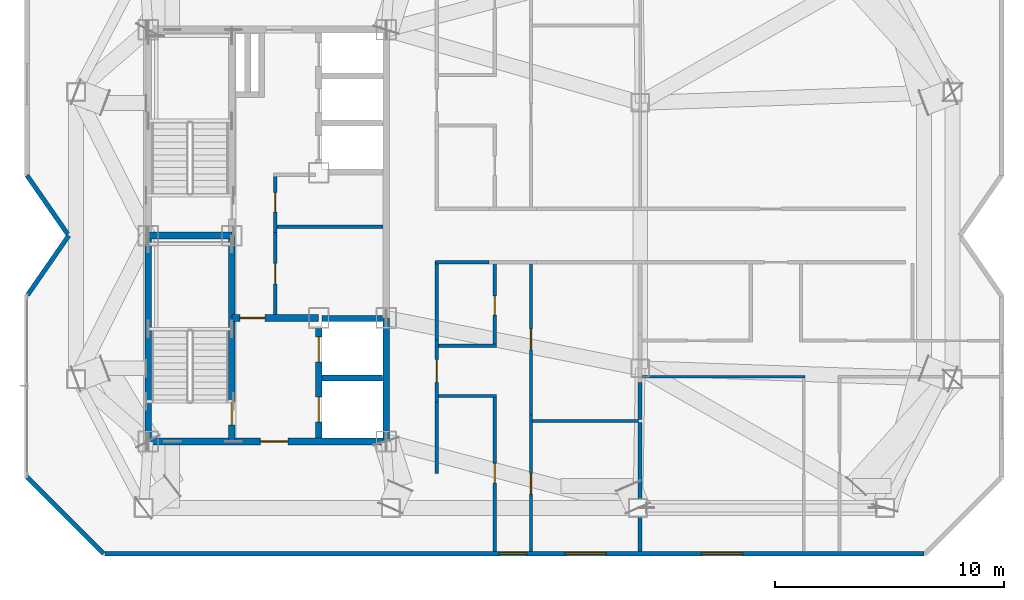
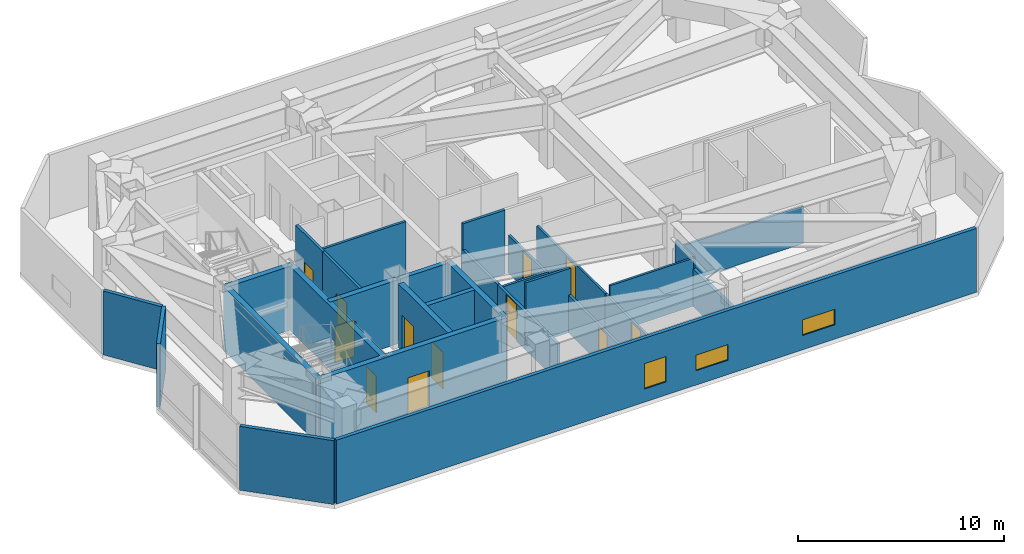
# One storey, part 6 of 9: 30 walls, 12 doors, 3 windows, 15 openings.
"""IFC4 building model written with IfcOpenShell, lengths in metres."""

from ifc_helpers import new_model, si_unit, direction, frame, frame_2d, origin, place, context, subcontext, project, spatial, rectangle, extrude, material, layer, layer_set, type_object, element, fill, save


model = new_model("IFC4")

# Units and contexts
model_context = context("Model", 3, precision=1e-05, world=origin(), true_north=direction((0.0, 1.0)))
body_context = subcontext(model_context, "Body", "Model", "MODEL_VIEW")
ifc_project = project(units=[si_unit("LENGTHUNIT", "METRE"), si_unit("AREAUNIT", "SQUARE_METRE"), si_unit("VOLUMEUNIT", "CUBIC_METRE"), si_unit("PLANEANGLEUNIT", "RADIAN"), si_unit("MASSUNIT", "GRAM", prefix="KILO")], contexts=[model_context])

# Site, building, storey
site_placement = place(None, origin())
site = spatial("IfcSite", under=ifc_project, at=site_placement, CompositionType="ELEMENT")
building_placement = place(site_placement, origin())
building = spatial("IfcBuilding", under=site, at=building_placement, Name="Khamvora Tower", CompositionType="ELEMENT")
storey_placement = place(building_placement, frame((0.0, 0.0, 282.050048828125)))
storey = spatial("IfcBuildingStorey", under=building, at=storey_placement, Name="L72", CompositionType="ELEMENT", Elevation=282.050048828125)

# Wall
ifc_material_1 = material(Name="Concrete C50/60", Category="concrete")
ifc_layer_1 = layer(ifc_material_1, 0.300048828125)
ifc_layer_set_1 = layer_set([ifc_layer_1], Name="Concrete C50/60")
wall_type_1 = type_object("IfcWallType", Name="WAL-CORE-300", PredefinedType="SHEAR", material=ifc_layer_set_1)
wall_1_placement = place(storey_placement, frame((29.0, 19.0, 0.0), z_axis=(0.0, 0.0, 1.0), x_axis=(0.0, 1.0, 0.0)))
element("IfcWall", 1, at=wall_1_placement, inside=storey, type_object=wall_type_1, Name="L72 central core west south wall", PredefinedType="SHEAR", context=body_context, shape_type="SweptSolid", body=[
    extrude(rectangle(XDim=9.0, YDim=0.300048828125, at=frame_2d((4.5, 0.0))), origin(), (0.0, 0.0, 1.0), 3.780029296875),
])

# Wall, opening, door
wall_2_placement = place(storey_placement, frame((29.0, 19.0, 0.0), z_axis=(0.0, 0.0, 1.0), x_axis=(1.0, 0.0, 0.0)))
wall_2 = element("IfcWall", 2, at=wall_2_placement, inside=storey, type_object=wall_type_1, Name="L72 central core south wall", PredefinedType="SHEAR", context=body_context, shape_type="SweptSolid", body=[
    extrude(rectangle(XDim=10.39990234375, YDim=0.300048828125, at=frame_2d((5.199951171875, 0.0))), origin(), (0.0, 0.0, 1.0), 3.780029296875),
])
opening_1_placement = place(wall_2_placement, frame((4.89990234375, 0.0, 0.0)))
opening_1 = element("IfcOpeningElement", 3, at=opening_1_placement, cuts=wall_2, Name="Opening D-CR1", PredefinedType="OPENING", context=body_context, shape_type="SweptSolid", body=[
    extrude(rectangle(XDim=1.199951171875, YDim=2.14990234375, at=frame_2d((0.60009765625, 1.074951171875))), frame((0.0, 0.159912109375, 0.0), z_axis=(0.0, -1.0, 0.0), x_axis=(1.0, 0.0, 0.0)), (0.0, 0.0, 1.0), 0.320068359375),
])
ifc_material_2 = material(Name="Powder-Coated Steel and Hardwood Leaf", Category="steel")
door_type_1 = type_object("IfcDoorType", Name="DOR-CORR-1200", OperationType="NOTDEFINED", PredefinedType="DOOR", material=ifc_material_2)
door_1_placement = place(opening_1_placement, origin())
door_1 = element("IfcDoor", 4, at=door_1_placement, inside=storey, type_object=door_type_1, Name="L72 south core lobby to corridor fire door", OperationType="SINGLE_SWING_LEFT", OverallHeight=2.14990234375, OverallWidth=1.199951171875, PredefinedType="DOOR", context=body_context, shape_type="SweptSolid", body=[
    extrude(rectangle(XDim=1.199951171875, YDim=2.14990234375, at=frame_2d((0.60009765625, 1.074951171875))), frame((0.0, 0.02490234375, 0.0), z_axis=(0.0, -1.0, 0.0), x_axis=(1.0, 0.0, 0.0)), (0.0, 0.0, 1.0), 0.050048828125),
])
fill(opening_1, door_1)

# Wall
wall_3_placement = place(storey_placement, frame((39.39990234375, 19.0, 0.0), z_axis=(0.0, 0.0, 1.0), x_axis=(0.0, 1.0, 0.0)))
element("IfcWall", 5, at=wall_3_placement, inside=storey, type_object=wall_type_1, Name="L72 central core east south wall", PredefinedType="SHEAR", context=body_context, shape_type="SweptSolid", body=[
    extrude(rectangle(XDim=5.39990234375, YDim=0.300048828125, at=frame_2d((2.699951171875, 0.0))), origin(), (0.0, 0.0, 1.0), 3.780029296875),
])

# Wall, opening, door
wall_4_placement = place(storey_placement, frame((32.64990234375, 19.0, 0.0), z_axis=(0.0, 0.0, 1.0), x_axis=(0.0, 1.0, 0.0)))
wall_4 = element("IfcWall", 6, at=wall_4_placement, inside=storey, type_object=wall_type_1, Name="L72 central core stair south spine wall", PredefinedType="SHEAR", context=body_context, shape_type="SweptSolid", body=[
    extrude(rectangle(XDim=9.0, YDim=0.300048828125, at=frame_2d((4.5, 0.0))), origin(), (0.0, 0.0, 1.0), 3.780029296875),
])
opening_2_placement = place(wall_4_placement, frame((0.719970703125, 0.0, 0.0)))
opening_2 = element("IfcOpeningElement", 7, at=opening_2_placement, cuts=wall_4, Name="Opening D-ST1", PredefinedType="OPENING", context=body_context, shape_type="SweptSolid", body=[
    extrude(rectangle(XDim=1.0, YDim=2.14990234375, at=frame_2d((0.5, 1.074951171875))), frame((0.0, 0.159912109375, 0.0), z_axis=(0.0, -1.0, 0.0), x_axis=(1.0, 0.0, 0.0)), (0.0, 0.0, 1.0), 0.320068359375),
])
door_type_2 = type_object("IfcDoorType", Name="DOR-STAIR-1000", OperationType="NOTDEFINED", PredefinedType="DOOR", material=ifc_material_2)
door_2_placement = place(opening_2_placement, origin())
door_2 = element("IfcDoor", 8, at=door_2_placement, inside=storey, type_object=door_type_2, Name="L72 exit stair ST-01 fire door", OperationType="SINGLE_SWING_RIGHT", OverallHeight=2.14990234375, OverallWidth=1.0, PredefinedType="DOOR", context=body_context, shape_type="SweptSolid", body=[
    extrude(rectangle(XDim=1.0, YDim=2.14990234375, at=frame_2d((0.5, 1.074951171875))), frame((0.0, 0.02490234375, 0.0), z_axis=(0.0, -1.0, 0.0), x_axis=(1.0, 0.0, 0.0)), (0.0, 0.0, 1.0), 0.050048828125),
])
fill(opening_2, door_2)

# Wall
wall_5_placement = place(storey_placement, frame((29.0, 28.0, 0.0), z_axis=(0.0, 0.0, 1.0), x_axis=(1.0, 0.0, 0.0)))
element("IfcWall", 9, at=wall_5_placement, inside=storey, type_object=wall_type_1, Name="L72 central core stair cross wall", PredefinedType="SHEAR", context=body_context, shape_type="SweptSolid", body=[
    extrude(rectangle(XDim=3.64990234375, YDim=0.300048828125, at=frame_2d((1.824951171875, 0.0))), origin(), (0.0, 0.0, 1.0), 3.780029296875),
])

# Wall, opening, door
wall_6_placement = place(storey_placement, frame((32.64990234375, 24.39990234375, 0.0), z_axis=(0.0, 0.0, 1.0), x_axis=(1.0, 0.0, 0.0)))
wall_6 = element("IfcWall", 10, at=wall_6_placement, inside=storey, type_object=wall_type_1, Name="L72 central core firefighting lobby north wall", PredefinedType="SHEAR", context=body_context, shape_type="SweptSolid", body=[
    extrude(rectangle(XDim=3.800048828125, YDim=0.300048828125, at=frame_2d((1.89990234375, 0.0))), origin(), (0.0, 0.0, 1.0), 3.780029296875),
])
opening_3_placement = place(wall_6_placement, frame((0.35009765625, 0.0, 0.0)))
opening_3 = element("IfcOpeningElement", 11, at=opening_3_placement, cuts=wall_6, Name="Opening D-FF1", PredefinedType="OPENING", context=body_context, shape_type="SweptSolid", body=[
    extrude(rectangle(XDim=1.10009765625, YDim=2.14990234375, at=frame_2d((0.550048828125, 1.074951171875))), frame((0.0, 0.159912109375, 0.0), z_axis=(0.0, -1.0, 0.0), x_axis=(1.0, 0.0, 0.0)), (0.0, 0.0, 1.0), 0.320068359375),
])
door_type_3 = type_object("IfcDoorType", Name="DOR-FFLOB-1100", OperationType="NOTDEFINED", PredefinedType="DOOR", material=ifc_material_2)
door_3_placement = place(opening_3_placement, origin())
door_3 = element("IfcDoor", 12, at=door_3_placement, inside=storey, type_object=door_type_3, Name="L72 firefighting lobby smoke-seal fire door", OperationType="SINGLE_SWING_RIGHT", OverallHeight=2.14990234375, OverallWidth=1.10009765625, PredefinedType="DOOR", context=body_context, shape_type="SweptSolid", body=[
    extrude(rectangle(XDim=1.10009765625, YDim=2.14990234375, at=frame_2d((0.550048828125, 1.074951171875))), frame((0.0, 0.02490234375, 0.0), z_axis=(0.0, -1.0, 0.0), x_axis=(1.0, 0.0, 0.0)), (0.0, 0.0, 1.0), 0.050048828125),
])
fill(opening_3, door_3)

# Wall, openings, doors
wall_7_placement = place(storey_placement, frame((36.449951171875, 19.154052734375, 0.0), z_axis=(0.0, 0.0, 1.0), x_axis=(0.0, 1.0, 0.0)))
wall_7 = element("IfcWall", 13, at=wall_7_placement, inside=storey, type_object=wall_type_1, Name="L72 central core lift bank south wall", PredefinedType="SHEAR", context=body_context, shape_type="SweptSolid", body=[
    extrude(rectangle(XDim=4.7958984375, YDim=0.300048828125, at=frame_2d((2.39794921875, 0.0))), origin(), (0.0, 0.0, 1.0), 3.780029296875),
])
opening_4_placement = place(wall_7_placement, frame((0.696044921875, 0.0, 0.0)))
opening_4 = element("IfcOpeningElement", 14, at=opening_4_placement, cuts=wall_7, Name="Opening LD-FFL", PredefinedType="OPENING", context=body_context, shape_type="SweptSolid", body=[
    extrude(rectangle(XDim=1.10009765625, YDim=2.14990234375, at=frame_2d((0.550048828125, 1.074951171875))), frame((0.0, 0.159912109375, 0.0), z_axis=(0.0, -1.0, 0.0), x_axis=(1.0, 0.0, 0.0)), (0.0, 0.0, 1.0), 0.320068359375),
])
opening_5_placement = place(wall_7_placement, frame((3.31591796875, 0.0, 0.0)))
opening_5 = element("IfcOpeningElement", 15, at=opening_5_placement, cuts=wall_7, Name="Opening LD-FFL", PredefinedType="OPENING", context=body_context, shape_type="SweptSolid", body=[
    extrude(rectangle(XDim=1.10009765625, YDim=2.14990234375, at=frame_2d((0.550048828125, 1.074951171875))), frame((0.0, 0.159912109375, 0.0), z_axis=(0.0, -1.0, 0.0), x_axis=(1.0, 0.0, 0.0)), (0.0, 0.0, 1.0), 0.320068359375),
])
door_type_4 = type_object("IfcDoorType", Name="DOR-LIFT-1100", OperationType="SLIDING_TO_LEFT", PredefinedType="DOOR", material=ifc_material_2)
door_4_placement = place(opening_4_placement, origin())
door_4 = element("IfcDoor", 16, at=door_4_placement, inside=storey, type_object=door_type_4, Name="L72 lift landing sliding door FFL-01", OperationType="SLIDING_TO_LEFT", OverallHeight=2.14990234375, OverallWidth=1.10009765625, PredefinedType="DOOR", context=body_context, shape_type="SweptSolid", body=[
    extrude(rectangle(XDim=1.10009765625, YDim=2.14990234375, at=frame_2d((0.550048828125, 1.074951171875))), frame((0.0, 0.02490234375, 0.0), z_axis=(0.0, -1.0, 0.0), x_axis=(1.0, 0.0, 0.0)), (0.0, 0.0, 1.0), 0.050048828125),
])
fill(opening_4, door_4)
door_5_placement = place(opening_5_placement, origin())
door_5 = element("IfcDoor", 17, at=door_5_placement, inside=storey, type_object=door_type_4, Name="L72 lift landing sliding door FFL-02", OperationType="SLIDING_TO_LEFT", OverallHeight=2.14990234375, OverallWidth=1.10009765625, PredefinedType="DOOR", context=body_context, shape_type="SweptSolid", body=[
    extrude(rectangle(XDim=1.10009765625, YDim=2.14990234375, at=frame_2d((0.550048828125, 1.074951171875))), frame((0.0, 0.02490234375, 0.0), z_axis=(0.0, -1.0, 0.0), x_axis=(1.0, 0.0, 0.0)), (0.0, 0.0, 1.0), 0.050048828125),
])
fill(opening_5, door_5)

# Wall, opening, door
ifc_material_3 = material(Name="Fire-Rated Drywall and Steel Stud", Category="steel")
ifc_layer_2 = layer(ifc_material_3, 0.14990234375)
ifc_layer_set_2 = layer_set([ifc_layer_2], Name="Fire-Rated Drywall and Steel Stud")
wall_type_2 = type_object("IfcWallType", Name="WAL-CORR-150", PredefinedType="STANDARD", material=ifc_layer_set_2)
wall_8_placement = place(storey_placement, frame((34.544921875, 30.72998046875, 0.0), z_axis=(0.0, 0.0, 1.0), x_axis=(0.0, -1.0, 0.0)))
wall_8 = element("IfcWall", 18, at=wall_8_placement, inside=storey, type_object=wall_type_2, Name="L72 interior partition wall 002", PredefinedType="STANDARD", context=body_context, shape_type="SweptSolid", body=[
    extrude(rectangle(XDim=2.593994140625, YDim=0.14990234375, at=frame_2d((1.296875, 0.0))), origin(), (0.0, 0.0, 1.0), 3.780029296875),
])
opening_6_placement = place(wall_8_placement, frame((0.85107421875, 0.0, 0.0)))
opening_6 = element("IfcOpeningElement", 19, at=opening_6_placement, cuts=wall_8, Name="Opening D-WC1", PredefinedType="OPENING", context=body_context, shape_type="SweptSolid", body=[
    extrude(rectangle(XDim=0.85009765625, YDim=2.10009765625, at=frame_2d((0.425048828125, 1.050048828125))), frame((0.0, 0.0849609375, 0.0), z_axis=(0.0, -1.0, 0.0), x_axis=(1.0, 0.0, 0.0)), (0.0, 0.0, 1.0), 0.169921875),
])
door_type_5 = type_object("IfcDoorType", Name="DOR-WET-850", OperationType="NOTDEFINED", PredefinedType="DOOR", material=ifc_material_2)
door_6_placement = place(opening_6_placement, origin())
door_6 = element("IfcDoor", 20, at=door_6_placement, inside=storey, type_object=door_type_5, Name="L72 interior door PHL-CS1", OperationType="SINGLE_SWING_LEFT", OverallHeight=2.10009765625, OverallWidth=0.85009765625, PredefinedType="DOOR", context=body_context, shape_type="SweptSolid", body=[
    extrude(rectangle(XDim=0.85009765625, YDim=2.10009765625, at=frame_2d((0.425048828125, 1.050048828125))), frame((0.0, 0.02490234375, 0.0), z_axis=(0.0, -1.0, 0.0), x_axis=(1.0, 0.0, 0.0)), (0.0, 0.0, 1.0), 0.050048828125),
])
fill(opening_6, door_6)

wall_9_placement = place(storey_placement, frame((34.544921875, 28.135986328125, 0.0), z_axis=(0.0, 0.0, 1.0), x_axis=(0.0, -1.0, 0.0)))
wall_9 = element("IfcWall", 21, at=wall_9_placement, inside=storey, type_object=wall_type_2, Name="L72 interior partition wall 003", PredefinedType="STANDARD", context=body_context, shape_type="SweptSolid", body=[
    extrude(rectangle(XDim=3.592041015625, YDim=0.14990234375, at=frame_2d((1.7958984375, 0.0))), origin(), (0.0, 0.0, 1.0), 3.780029296875),
])
opening_7_placement = place(wall_9_placement, frame((1.345947265625, 0.0, 0.0)))
opening_7 = element("IfcOpeningElement", 22, at=opening_7_placement, cuts=wall_9, Name="Opening D-RM1", PredefinedType="OPENING", context=body_context, shape_type="SweptSolid", body=[
    extrude(rectangle(XDim=0.89990234375, YDim=2.10009765625, at=frame_2d((0.449951171875, 1.050048828125))), frame((0.0, 0.0849609375, 0.0), z_axis=(0.0, -1.0, 0.0), x_axis=(1.0, 0.0, 0.0)), (0.0, 0.0, 1.0), 0.169921875),
])
door_type_6 = type_object("IfcDoorType", Name="DOR-ROOM-900", OperationType="NOTDEFINED", PredefinedType="DOOR", material=ifc_material_2)
door_7_placement = place(opening_7_placement, origin())
door_7 = element("IfcDoor", 23, at=door_7_placement, inside=storey, type_object=door_type_6, Name="L72 interior door PHL-CS2", OperationType="SINGLE_SWING_RIGHT", OverallHeight=2.10009765625, OverallWidth=0.89990234375, PredefinedType="DOOR", context=body_context, shape_type="SweptSolid", body=[
    extrude(rectangle(XDim=0.89990234375, YDim=2.10009765625, at=frame_2d((0.449951171875, 1.050048828125))), frame((0.0, 0.02490234375, 0.0), z_axis=(0.0, -1.0, 0.0), x_axis=(1.0, 0.0, 0.0)), (0.0, 0.0, 1.0), 0.050048828125),
])
fill(opening_7, door_7)

wall_10_placement = place(storey_placement, frame((41.614990234375, 23.43310546875, 0.0), z_axis=(0.0, 0.0, 1.0), x_axis=(0.0, -1.0, 0.0)))
wall_10 = element("IfcWall", 24, at=wall_10_placement, inside=storey, type_object=wall_type_2, Name="L72 interior partition wall 007", PredefinedType="STANDARD", context=body_context, shape_type="SweptSolid", body=[
    extrude(rectangle(XDim=2.697998046875, YDim=0.14990234375, at=frame_2d((1.34912109375, 0.0))), origin(), (0.0, 0.0, 1.0), 2.219970703125),
])
opening_8_placement = place(wall_10_placement, frame((0.84912109375, 0.0, 0.0)))
opening_8 = element("IfcOpeningElement", 25, at=opening_8_placement, cuts=wall_10, Name="Opening D-U1", PredefinedType="OPENING", context=body_context, shape_type="SweptSolid", body=[
    extrude(rectangle(XDim=1.0, YDim=2.14990234375, at=frame_2d((0.5, 1.074951171875))), frame((0.0, 0.0849609375, 0.0), z_axis=(0.0, -1.0, 0.0), x_axis=(1.0, 0.0, 0.0)), (0.0, 0.0, 1.0), 0.169921875),
])
door_type_7 = type_object("IfcDoorType", Name="DOR-UNIT-1000", OperationType="NOTDEFINED", PredefinedType="DOOR", material=ifc_material_2)
door_8_placement = place(opening_8_placement, origin())
door_8 = element("IfcDoor", 26, at=door_8_placement, inside=storey, type_object=door_type_7, Name="L72 interior door COR-72CH", OperationType="SINGLE_SWING_RIGHT", OverallHeight=2.14990234375, OverallWidth=1.0, PredefinedType="DOOR", context=body_context, shape_type="SweptSolid", body=[
    extrude(rectangle(XDim=1.0, YDim=2.14990234375, at=frame_2d((0.5, 1.074951171875))), frame((0.0, 0.02490234375, 0.0), z_axis=(0.0, -1.0, 0.0), x_axis=(1.0, 0.0, 0.0)), (0.0, 0.0, 1.0), 0.050048828125),
])
fill(opening_8, door_8)

# Walls
wall_11_placement = place(storey_placement, frame((43.89599609375, 26.8349609375, 0.0), z_axis=(0.0, 0.0, 1.0), x_axis=(-1.0, 0.0, 0.0)))
element("IfcWall", 27, at=wall_11_placement, inside=storey, type_object=wall_type_2, Name="L72 interior partition wall 008", PredefinedType="STANDARD", context=body_context, shape_type="SweptSolid", body=[
    extrude(rectangle(XDim=2.345947265625, YDim=0.14990234375, at=frame_2d((1.1728515625, 0.0))), origin(), (0.0, 0.0, 1.0), 3.780029296875),
])
wall_12_placement = place(storey_placement, frame((41.614990234375, 26.89794921875, 0.0), z_axis=(0.0, 0.0, 1.0), x_axis=(0.0, -1.0, 0.0)))
element("IfcWall", 28, at=wall_12_placement, inside=storey, type_object=wall_type_2, Name="L72 interior partition wall 009", PredefinedType="STANDARD", context=body_context, shape_type="SweptSolid", body=[
    extrude(rectangle(XDim=3.46484375, YDim=0.14990234375, at=frame_2d((1.732421875, 0.0))), origin(), (0.0, 0.0, 1.0), 2.219970703125),
])
wall_13_placement = place(storey_placement, frame((41.614990234375, 20.735107421875, 0.0), z_axis=(0.0, 0.0, 1.0), x_axis=(0.0, -1.0, 0.0)))
element("IfcWall", 29, at=wall_13_placement, inside=storey, type_object=wall_type_2, Name="L72 interior partition wall 010", PredefinedType="STANDARD", context=body_context, shape_type="SweptSolid", body=[
    extrude(rectangle(XDim=3.135009765625, YDim=0.14990234375, at=frame_2d((1.5673828125, 0.0))), origin(), (0.0, 0.0, 1.0), 2.219970703125),
])
ifc_material_4 = material(Name="Acoustic Double-Stud Fire Wall", Category="gypsum")
ifc_layer_3 = layer(ifc_material_4, 0.179931640625)
ifc_layer_set_3 = layer_set([ifc_layer_3], Name="Acoustic Double-Stud Fire Wall")
wall_type_3 = type_object("IfcWallType", Name="WAL-CORR-180", PredefinedType="STANDARD", material=ifc_layer_set_3)
wall_14_placement = place(storey_placement, frame((50.4951171875, 19.833984375, 0.0), z_axis=(0.0, 0.0, 1.0), x_axis=(0.0, -1.0, 0.0)))
element("IfcWall", 30, at=wall_14_placement, inside=storey, type_object=wall_type_3, Name="L72 interior partition wall 030", PredefinedType="STANDARD", context=body_context, shape_type="SweptSolid", body=[
    extrude(rectangle(XDim=5.64208984375, YDim=0.179931640625, at=frame_2d((2.821044921875, 0.0))), origin(), (0.0, 0.0, 1.0), 2.219970703125),
])
wall_15_placement = place(storey_placement, frame((50.4951171875, 21.58203125, 0.0), z_axis=(0.0, 0.0, 1.0), x_axis=(0.0, -1.0, 0.0)))
element("IfcWall", 31, at=wall_15_placement, inside=storey, type_object=wall_type_3, Name="L72 interior partition wall 033", PredefinedType="STANDARD", context=body_context, shape_type="SweptSolid", body=[
    extrude(rectangle(XDim=1.617919921875, YDim=0.179931640625, at=frame_2d((0.80908203125, 0.0))), origin(), (0.0, 0.0, 1.0), 2.8369140625),
])
ifc_material_5 = material(Name="Precast concrete C40/50", Category="concrete")
ifc_layer_4 = layer(ifc_material_5, 0.199951171875)
ifc_layer_set_4 = layer_set([ifc_layer_4], Name="Precast concrete C40/50")
wall_type_4 = type_object("IfcWallType", Name="WAL-EXT-200", PredefinedType="STANDARD", material=ifc_layer_set_4)
wall_16_placement = place(storey_placement, frame((27.041015625, 14.10009765625, 0.0), z_axis=(0.0, 0.0, 1.0), x_axis=(-0.707132616762, 0.707080944667, 0.0)))
element("IfcWall", 32, at=wall_16_placement, inside=storey, type_object=wall_type_4, Name="L72 exterior facade wall 01.1", PredefinedType="STANDARD", context=body_context, shape_type="SweptSolid", body=[
    extrude(rectangle(XDim=4.724853515625, YDim=0.199951171875, at=frame_2d((2.3623046875, 0.0))), origin(), (0.0, 0.0, 1.0), 3.780029296875),
])
wall_17_placement = place(storey_placement, frame((23.72705078125, 25.407958984375, 0.0), z_axis=(0.0, 0.0, 1.0), x_axis=(0.569302587555, 0.822128070195, 0.0)))
element("IfcWall", 33, at=wall_17_placement, inside=storey, type_object=wall_type_4, Name="L72 exterior facade wall 03.1", PredefinedType="STANDARD", context=body_context, shape_type="SweptSolid", body=[
    extrude(rectangle(XDim=3.15283203125, YDim=0.199951171875, at=frame_2d((1.576416015625, 0.0))), origin(), (0.0, 0.0, 1.0), 3.780029296875),
])
wall_18_placement = place(storey_placement, frame((25.47412109375, 28.069091796875, 0.0), z_axis=(0.0, 0.0, 1.0), x_axis=(-0.569311819154, 0.822121677473, 0.0)))
element("IfcWall", 34, at=wall_18_placement, inside=storey, type_object=wall_type_4, Name="L72 exterior facade wall 04.1", PredefinedType="STANDARD", context=body_context, shape_type="SweptSolid", body=[
    extrude(rectangle(XDim=3.116455078125, YDim=0.199951171875, at=frame_2d((1.55810546875, 0.0))), origin(), (0.0, 0.0, 1.0), 3.780029296875),
])

# Wall, openings, windows
wall_19_placement = place(storey_placement, frame((62.89599609375, 14.10009765625, 0.0), z_axis=(0.0, 0.0, 1.0), x_axis=(-1.0, 0.0, 0.0)))
wall_19 = element("IfcWall", 35, at=wall_19_placement, inside=storey, type_object=wall_type_4, Name="L72 exterior facade wall 14.1", PredefinedType="STANDARD", context=body_context, shape_type="SweptSolid", body=[
    extrude(rectangle(XDim=35.79296875, YDim=0.199951171875, at=frame_2d((17.896484375, 0.0))), origin(), (0.0, 0.0, 1.0), 3.780029296875),
])
opening_9_placement = place(wall_19_placement, frame((17.361083984375, 0.0, 0.780029296875)))
opening_9 = element("IfcOpeningElement", 36, at=opening_9_placement, cuts=wall_19, Name="Opening WN-03", PredefinedType="OPENING", context=body_context, shape_type="SweptSolid", body=[
    extrude(rectangle(XDim=1.199951171875, YDim=1.5, at=frame_2d((0.60009765625, 0.75))), frame((0.0, 0.10986328125, 0.0), z_axis=(0.0, -1.0, 0.0), x_axis=(1.0, 0.0, 0.0)), (0.0, 0.0, 1.0), 0.219970703125),
])
opening_10_placement = place(wall_19_placement, frame((13.885986328125, 0.0, 0.85009765625)))
opening_10 = element("IfcOpeningElement", 37, at=opening_10_placement, cuts=wall_19, Name="Opening WN-09", PredefinedType="OPENING", context=body_context, shape_type="SweptSolid", body=[
    extrude(rectangle(XDim=1.800048828125, YDim=0.919921875, at=frame_2d((0.89990234375, 0.4599609375))), frame((0.0, 0.10986328125, 0.0), z_axis=(0.0, -1.0, 0.0), x_axis=(1.0, 0.0, 0.0)), (0.0, 0.0, 1.0), 0.219970703125),
])
opening_11_placement = place(wall_19_placement, frame((7.9208984375, 0.0, 0.85009765625)))
opening_11 = element("IfcOpeningElement", 38, at=opening_11_placement, cuts=wall_19, Name="Opening WN-09", PredefinedType="OPENING", context=body_context, shape_type="SweptSolid", body=[
    extrude(rectangle(XDim=1.800048828125, YDim=0.919921875, at=frame_2d((0.89990234375, 0.4599609375))), frame((0.0, 0.10986328125, 0.0), z_axis=(0.0, -1.0, 0.0), x_axis=(1.0, 0.0, 0.0)), (0.0, 0.0, 1.0), 0.219970703125),
])
ifc_material_6 = material(Name="Low-E Laminated Double Glazing", Category="glass")
window_type_1 = type_object("IfcWindowType", Name="WIN-CLR-1800x920", PartitioningType="SINGLE_PANEL", PredefinedType="WINDOW", material=ifc_material_6)
window_1_placement = place(opening_10_placement, origin())
window_1 = element("IfcWindow", 39, at=window_1_placement, inside=storey, type_object=window_type_1, Name="L72 vision window 14.1.02", OverallHeight=0.919921875, OverallWidth=1.800048828125, PartitioningType="SINGLE_PANEL", PredefinedType="WINDOW", context=body_context, shape_type="SweptSolid", body=[
    extrude(rectangle(XDim=1.800048828125, YDim=0.919921875, at=frame_2d((0.89990234375, 0.4599609375))), frame((0.0, 0.030029296875, 0.0), z_axis=(0.0, -1.0, 0.0), x_axis=(1.0, 0.0, 0.0)), (0.0, 0.0, 1.0), 0.06005859375),
])
fill(opening_10, window_1)
window_2_placement = place(opening_11_placement, origin())
window_2 = element("IfcWindow", 40, at=window_2_placement, inside=storey, type_object=window_type_1, Name="L72 vision window 14.1.03", OverallHeight=0.919921875, OverallWidth=1.800048828125, PartitioningType="SINGLE_PANEL", PredefinedType="WINDOW", context=body_context, shape_type="SweptSolid", body=[
    extrude(rectangle(XDim=1.800048828125, YDim=0.919921875, at=frame_2d((0.89990234375, 0.4599609375))), frame((0.0, 0.030029296875, 0.0), z_axis=(0.0, -1.0, 0.0), x_axis=(1.0, 0.0, 0.0)), (0.0, 0.0, 1.0), 0.06005859375),
])
fill(opening_11, window_2)
window_type_2 = type_object("IfcWindowType", Name="WIN-VIS-1200x1500", PartitioningType="SINGLE_PANEL", PredefinedType="WINDOW", material=ifc_material_6)
window_3_placement = place(opening_9_placement, origin())
window_3 = element("IfcWindow", 41, at=window_3_placement, inside=storey, type_object=window_type_2, Name="L72 vision window 14.1.01", OverallHeight=1.5, OverallWidth=1.199951171875, PartitioningType="SINGLE_PANEL", PredefinedType="WINDOW", context=body_context, shape_type="SweptSolid", body=[
    extrude(rectangle(XDim=1.199951171875, YDim=1.5, at=frame_2d((0.60009765625, 0.75))), frame((0.0, 0.030029296875, 0.0), z_axis=(0.0, -1.0, 0.0), x_axis=(1.0, 0.0, 0.0)), (0.0, 0.0, 1.0), 0.06005859375),
])
fill(opening_9, window_3)

# Wall, opening, door
ifc_material_7 = material(Name="Gypsum Plasterboard Partition", Category="gypsum")
ifc_layer_5 = layer(ifc_material_7, 0.1201171875)
ifc_layer_set_5 = layer_set([ifc_layer_5], Name="Gypsum Plasterboard Partition")
wall_type_5 = type_object("IfcWallType", Name="WAL-PART-120", PredefinedType="PARTITIONING", material=ifc_layer_set_5)
wall_20_placement = place(storey_placement, frame((45.72509765625, 20.14794921875, 0.0), z_axis=(0.0, 0.0, 1.0), x_axis=(0.0, -1.0, 0.0)))
wall_20 = element("IfcWall", 42, at=wall_20_placement, inside=storey, type_object=wall_type_5, Name="L72 interior partition wall 027", PredefinedType="PARTITIONING", context=body_context, shape_type="SweptSolid", body=[
    extrude(rectangle(XDim=5.9560546875, YDim=0.1201171875, at=frame_2d((2.97802734375, 0.0))), origin(), (0.0, 0.0, 1.0), 2.219970703125),
])
opening_12_placement = place(wall_20_placement, frame((2.549072265625, 0.0, 0.0)))
opening_12 = element("IfcOpeningElement", 43, at=opening_12_placement, cuts=wall_20, Name="Opening D-RM1", PredefinedType="OPENING", context=body_context, shape_type="SweptSolid", body=[
    extrude(rectangle(XDim=0.89990234375, YDim=2.10009765625, at=frame_2d((0.449951171875, 1.050048828125))), frame((0.0, 0.070068359375, 0.0), z_axis=(0.0, -1.0, 0.0), x_axis=(1.0, 0.0, 0.0)), (0.0, 0.0, 1.0), 0.14013671875),
])
door_9_placement = place(opening_12_placement, origin())
door_9 = element("IfcDoor", 44, at=door_9_placement, inside=storey, type_object=door_type_6, Name="L72 interior door 72CH-72CL", OperationType="SINGLE_SWING_LEFT", OverallHeight=2.10009765625, OverallWidth=0.89990234375, PredefinedType="DOOR", context=body_context, shape_type="SweptSolid", body=[
    extrude(rectangle(XDim=0.89990234375, YDim=2.10009765625, at=frame_2d((0.449951171875, 1.050048828125))), frame((0.0, 0.02490234375, 0.0), z_axis=(0.0, -1.0, 0.0), x_axis=(1.0, 0.0, 0.0)), (0.0, 0.0, 1.0), 0.050048828125),
])
fill(opening_12, door_9)

wall_21_placement = place(storey_placement, frame((45.72509765625, 26.77001953125, 0.0), z_axis=(0.0, 0.0, 1.0), x_axis=(0.0, -1.0, 0.0)))
wall_21 = element("IfcWall", 45, at=wall_21_placement, inside=storey, type_object=wall_type_5, Name="L72 interior partition wall 028", PredefinedType="PARTITIONING", context=body_context, shape_type="SweptSolid", body=[
    extrude(rectangle(XDim=6.6220703125, YDim=0.1201171875, at=frame_2d((3.31103515625, 0.0))), origin(), (0.0, 0.0, 1.0), 2.219970703125),
])
opening_13_placement = place(wall_21_placement, frame((2.861083984375, 0.0, 0.0)))
opening_13 = element("IfcOpeningElement", 46, at=opening_13_placement, cuts=wall_21, Name="Opening D-RM1", PredefinedType="OPENING", context=body_context, shape_type="SweptSolid", body=[
    extrude(rectangle(XDim=0.89990234375, YDim=2.10009765625, at=frame_2d((0.449951171875, 1.050048828125))), frame((0.0, 0.070068359375, 0.0), z_axis=(0.0, -1.0, 0.0), x_axis=(1.0, 0.0, 0.0)), (0.0, 0.0, 1.0), 0.14013671875),
])
door_10_placement = place(opening_13_placement, origin())
door_10 = element("IfcDoor", 47, at=door_10_placement, inside=storey, type_object=door_type_6, Name="L72 interior door 72CH-72CR2", OperationType="SINGLE_SWING_RIGHT", OverallHeight=2.10009765625, OverallWidth=0.89990234375, PredefinedType="DOOR", context=body_context, shape_type="SweptSolid", body=[
    extrude(rectangle(XDim=0.89990234375, YDim=2.10009765625, at=frame_2d((0.449951171875, 1.050048828125))), frame((0.0, 0.02490234375, 0.0), z_axis=(0.0, -1.0, 0.0), x_axis=(1.0, 0.0, 0.0)), (0.0, 0.0, 1.0), 0.050048828125),
])
fill(opening_13, door_10)

# Walls
wall_22_placement = place(storey_placement, frame((45.779052734375, 19.89892578125, 0.0), z_axis=(0.0, 0.0, 1.0), x_axis=(1.0, 0.0, 0.0)))
element("IfcWall", 48, at=wall_22_placement, inside=storey, type_object=wall_type_5, Name="L72 interior partition wall 029", PredefinedType="PARTITIONING", context=body_context, shape_type="SweptSolid", body=[
    extrude(rectangle(XDim=4.65087890625, YDim=0.1201171875, at=frame_2d((2.325439453125, 0.0))), origin(), (0.0, 0.0, 1.0), 2.8369140625),
])
wall_23_placement = place(storey_placement, frame((57.7099609375, 21.825927734375, 0.0), z_axis=(0.0, 0.0, 1.0), x_axis=(-1.0, 0.0, 0.0)))
element("IfcWall", 49, at=wall_23_placement, inside=storey, type_object=wall_type_5, Name="L72 interior partition wall 041", PredefinedType="PARTITIONING", context=body_context, shape_type="SweptSolid", body=[
    extrude(rectangle(XDim=7.133056640625, YDim=0.1201171875, at=frame_2d((3.56640625, 0.0))), origin(), (0.0, 0.0, 1.0), 2.219970703125),
])
ifc_material_8 = material(Name="Concrete C40/50", Category="concrete")
ifc_layer_6 = layer(ifc_material_8, 0.25)
ifc_layer_set_6 = layer_set([ifc_layer_6], Name="Concrete C40/50")
wall_type_6 = type_object("IfcWallType", Name="WAL-PODS-250", PredefinedType="SHEAR", material=ifc_layer_set_6)
for number, where, z_axis, x_axis, name in (
    (50, (36.60400390625, 21.77490234375, 0.0), (0.0, 0.0, 1.0), (1.0, 0.0, 0.0), "L72 lift shaft divider wall FFL-01"),
    (51, (36.60400390625, 24.375, 0.0), (0.0, 0.0, 1.0), (1.0, 0.0, 0.0), "L72 lift shaft divider wall FFL-02"),
):
    element("IfcWall", number, at=place(storey_placement, frame(where, z_axis=z_axis, x_axis=x_axis)), inside=storey, type_object=wall_type_6, Name=name, PredefinedType="SHEAR", context=body_context, shape_type="SweptSolid", body=[
        extrude(rectangle(XDim=2.64208984375, YDim=0.25, at=frame_2d((1.321044921875, 0.0))), origin(), (0.0, 0.0, 1.0), 3.780029296875),
    ])
ifc_material_9 = material(Name="Moisture-Resistant Plasterboard Partition", Category="gypsum")
ifc_layer_7 = layer(ifc_material_9, 0.135009765625)
ifc_layer_set_7 = layer_set([ifc_layer_7], Name="Moisture-Resistant Plasterboard Partition")
wall_type_7 = type_object("IfcWallType", Name="WAL-WET-135", PredefinedType="PARTITIONING", material=ifc_layer_set_7)
wall_24_placement = place(storey_placement, frame((39.256103515625, 28.385009765625, 0.0), z_axis=(0.0, 0.0, 1.0), x_axis=(-1.0, 0.0, 0.0)))
element("IfcWall", 52, at=wall_24_placement, inside=storey, type_object=wall_type_7, Name="L72 interior partition wall 004", PredefinedType="PARTITIONING", context=body_context, shape_type="SweptSolid", body=[
    extrude(rectangle(XDim=4.64404296875, YDim=0.135009765625, at=frame_2d((2.322021484375, 0.0))), origin(), (0.0, 0.0, 1.0), 3.780029296875),
])
wall_25_placement = place(storey_placement, frame((41.681884765625, 23.18408203125, 0.0), z_axis=(0.0, 0.0, 1.0), x_axis=(1.0, 0.0, 0.0)))
element("IfcWall", 53, at=wall_25_placement, inside=storey, type_object=wall_type_7, Name="L72 interior partition wall 023", PredefinedType="PARTITIONING", context=body_context, shape_type="SweptSolid", body=[
    extrude(rectangle(XDim=2.528076171875, YDim=0.135009765625, at=frame_2d((1.26416015625, 0.0))), origin(), (0.0, 0.0, 1.0), 2.219970703125),
])

# Wall, opening, door
wall_26_placement = place(storey_placement, frame((44.14501953125, 23.118896484375, 0.0), z_axis=(0.0, 0.0, 1.0), x_axis=(0.0, 1.0, 0.0)))
wall_26 = element("IfcWall", 54, at=wall_26_placement, inside=storey, type_object=wall_type_7, Name="L72 interior partition wall 024", PredefinedType="PARTITIONING", context=body_context, shape_type="SweptSolid", body=[
    extrude(rectangle(XDim=3.651123046875, YDim=0.135009765625, at=frame_2d((1.82568359375, 0.0))), origin(), (0.0, 0.0, 1.0), 2.219970703125),
])
opening_14_placement = place(wall_26_placement, frame((1.39990234375, 0.0, 0.0)))
opening_14 = element("IfcOpeningElement", 55, at=opening_14_placement, cuts=wall_26, Name="Opening D-WC1", PredefinedType="OPENING", context=body_context, shape_type="SweptSolid", body=[
    extrude(rectangle(XDim=0.85009765625, YDim=2.10009765625, at=frame_2d((0.425048828125, 1.050048828125))), frame((0.0, 0.077392578125, 0.0), z_axis=(0.0, -1.0, 0.0), x_axis=(1.0, 0.0, 0.0)), (0.0, 0.0, 1.0), 0.155029296875),
])
door_11_placement = place(opening_14_placement, origin())
door_11 = element("IfcDoor", 56, at=door_11_placement, inside=storey, type_object=door_type_5, Name="L72 interior door 72CH-72CB", OperationType="SINGLE_SWING_LEFT", OverallHeight=2.10009765625, OverallWidth=0.85009765625, PredefinedType="DOOR", context=body_context, shape_type="SweptSolid", body=[
    extrude(rectangle(XDim=0.85009765625, YDim=2.10009765625, at=frame_2d((0.425048828125, 1.050048828125))), frame((0.0, 0.02490234375, 0.0), z_axis=(0.0, -1.0, 0.0), x_axis=(1.0, 0.0, 0.0)), (0.0, 0.0, 1.0), 0.050048828125),
])
fill(opening_14, door_11)

wall_27_placement = place(storey_placement, frame((44.14501953125, 14.19189453125, 0.0), z_axis=(0.0, 0.0, 1.0), x_axis=(0.0, 1.0, 0.0)))
wall_27 = element("IfcWall", 57, at=wall_27_placement, inside=storey, type_object=wall_type_7, Name="L72 interior partition wall 025", PredefinedType="PARTITIONING", context=body_context, shape_type="SweptSolid", body=[
    extrude(rectangle(XDim=6.857177734375, YDim=0.135009765625, at=frame_2d((3.4287109375, 0.0))), origin(), (0.0, 0.0, 1.0), 2.219970703125),
])
opening_15_placement = place(wall_27_placement, frame((3.00390625, 0.0, 0.0)))
opening_15 = element("IfcOpeningElement", 58, at=opening_15_placement, cuts=wall_27, Name="Opening D-RM2", PredefinedType="OPENING", context=body_context, shape_type="SweptSolid", body=[
    extrude(rectangle(XDim=0.85009765625, YDim=2.10009765625, at=frame_2d((0.425048828125, 1.050048828125))), frame((0.0, 0.077392578125, 0.0), z_axis=(0.0, -1.0, 0.0), x_axis=(1.0, 0.0, 0.0)), (0.0, 0.0, 1.0), 0.155029296875),
])
door_type_8 = type_object("IfcDoorType", Name="DOR-ROOM-850", OperationType="NOTDEFINED", PredefinedType="DOOR", material=ifc_material_2)
door_12_placement = place(opening_15_placement, origin())
door_12 = element("IfcDoor", 59, at=door_12_placement, inside=storey, type_object=door_type_8, Name="L72 interior door 72CH-72CK", OperationType="SINGLE_SWING_RIGHT", OverallHeight=2.10009765625, OverallWidth=0.85009765625, PredefinedType="DOOR", context=body_context, shape_type="SweptSolid", body=[
    extrude(rectangle(XDim=0.85009765625, YDim=2.10009765625, at=frame_2d((0.425048828125, 1.050048828125))), frame((0.0, 0.02490234375, 0.0), z_axis=(0.0, -1.0, 0.0), x_axis=(1.0, 0.0, 0.0)), (0.0, 0.0, 1.0), 0.050048828125),
])
fill(opening_15, door_12)

# Wall
wall_28_placement = place(storey_placement, frame((44.2099609375, 20.98388671875, 0.0), z_axis=(0.0, 0.0, 1.0), x_axis=(-1.0, 0.0, 0.0)))
element("IfcWall", 60, at=wall_28_placement, inside=storey, type_object=wall_type_7, Name="L72 interior partition wall 026", PredefinedType="PARTITIONING", context=body_context, shape_type="SweptSolid", body=[
    extrude(rectangle(XDim=2.528076171875, YDim=0.135009765625, at=frame_2d((1.26416015625, 0.0))), origin(), (0.0, 0.0, 1.0), 3.780029296875),
])

save(model, "model.ifc")
